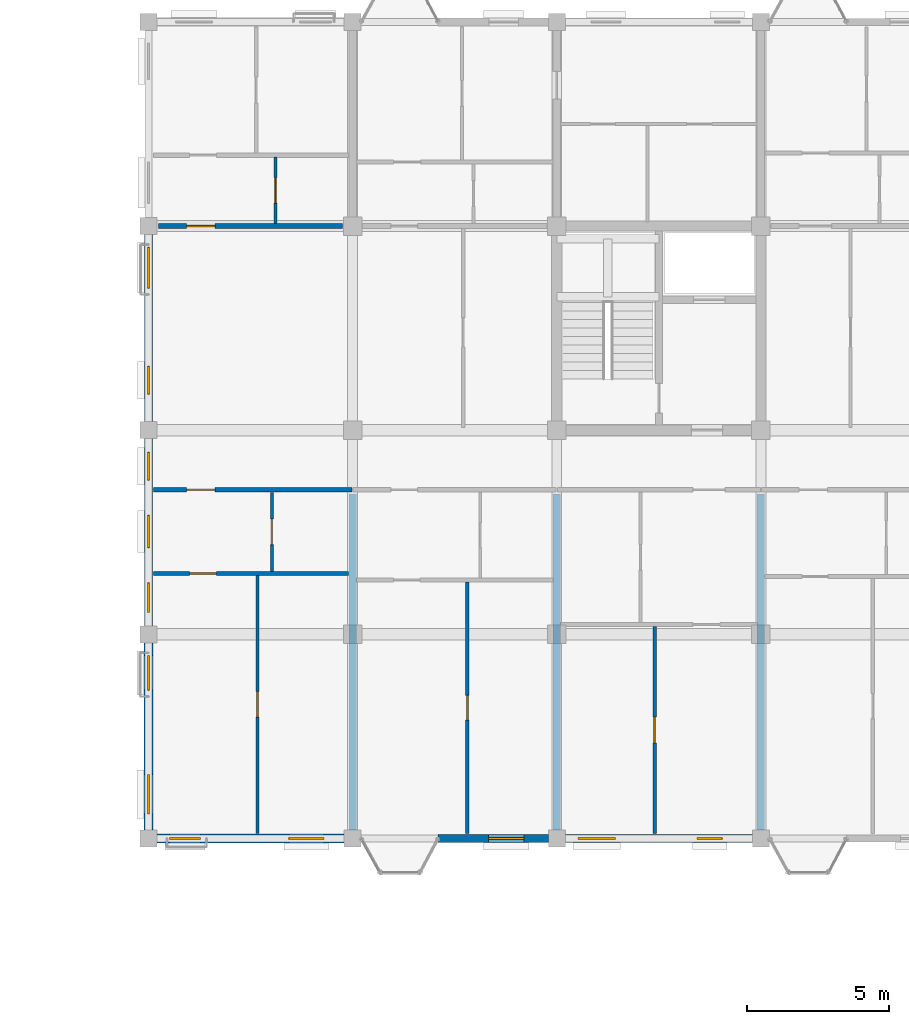
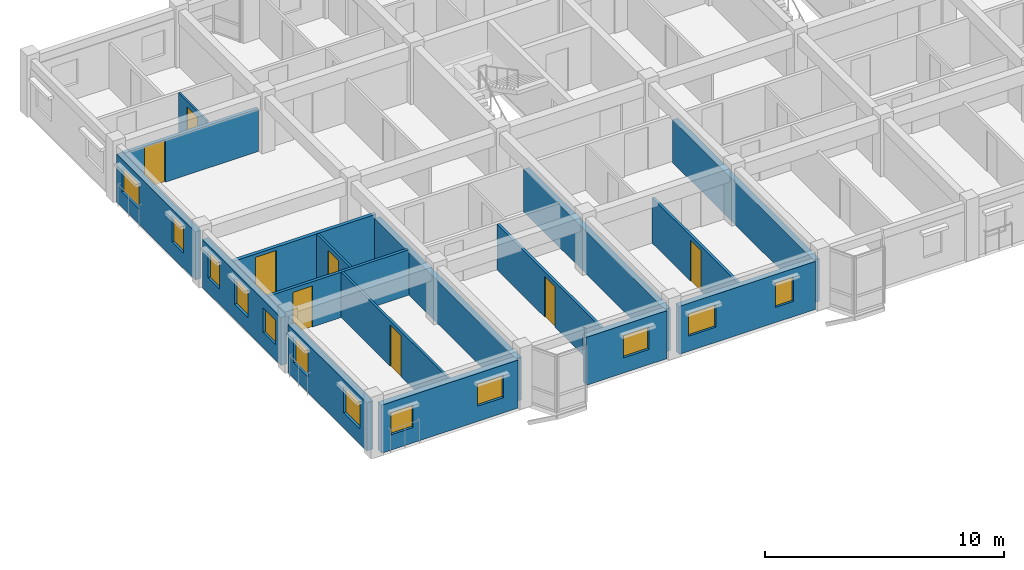
# One storey, part 106 of 124: 17 walls, 12 windows, 8 doors, 20 openings.
"""IFC4 building model written with IfcOpenShell, lengths in metres."""

from ifc_helpers import new_model, si_unit, direction, frame, frame_2d, origin, place, context, subcontext, project, spatial, rectangle, extrude, material, layer, layer_set, type_object, element, fill, save


model = new_model("IFC4")

# Units and contexts
model_context = context("Model", 3, precision=1e-05, world=origin(), true_north=direction((0.0, 1.0)))
body_context = subcontext(model_context, "Body", "Model", "MODEL_VIEW")
ifc_project = project(units=[si_unit("LENGTHUNIT", "METRE"), si_unit("AREAUNIT", "SQUARE_METRE"), si_unit("VOLUMEUNIT", "CUBIC_METRE"), si_unit("PLANEANGLEUNIT", "RADIAN"), si_unit("MASSUNIT", "GRAM", prefix="KILO"), si_unit("THERMODYNAMICTEMPERATUREUNIT", "KELVIN"), si_unit("POWERUNIT", "WATT")], contexts=[model_context])

# Site, building, storey
site_placement = place(None, origin())
site = spatial("IfcSite", under=ifc_project, at=site_placement, CompositionType="ELEMENT")
building_placement = place(site_placement, origin())
building = spatial("IfcBuilding", under=site, at=building_placement, Name="Tavuni Mirador Residences", CompositionType="ELEMENT")
storey_placement = place(building_placement, frame((0.0, 0.0, 7.64990234375)))
storey = spatial("IfcBuildingStorey", under=building, at=storey_placement, Name="L02", CompositionType="ELEMENT", Elevation=7.64990234375)

# Wall, opening, door
ifc_material_1 = material(Name="Precast concrete C40/50", Category="concrete")
ifc_layer_1 = layer(ifc_material_1, 0.1650390625, Name="Precast concrete C40/50", Category="concrete")
ifc_layer_set_1 = layer_set([ifc_layer_1], Name="Precast concrete C40/50")
wall_type_1 = type_object("IfcWallType", Name="WT-CORR165", PredefinedType="PARTITIONING", material=ifc_layer_set_1)
wall_1_placement = place(storey_placement, frame((10.97509765625, 156.300048828125, 0.0), z_axis=(0.0, 0.0, 1.0), x_axis=(1.0, 0.0, 0.0)))
wall_1 = element("IfcWall", 1, at=wall_1_placement, inside=storey, type_object=wall_type_1, Name="CORW-BLK-C-L02-0-00", PredefinedType="PARTITIONING", context=body_context, shape_type="SweptSolid", body=[
    extrude(rectangle(XDim=7.0048828125, YDim=0.1650390625, at=frame_2d((3.50244140625, 0.0))), origin(), (0.0, 0.0, 1.0), 2.320068359375),
])
opening_1_placement = place(wall_1_placement, frame((1.175048828125, 0.0, 0.0)))
opening_1 = element("IfcOpeningElement", 2, at=opening_1_placement, cuts=wall_1, Name="Opening D-03", PredefinedType="OPENING", context=body_context, shape_type="SweptSolid", body=[
    extrude(rectangle(XDim=1.0, YDim=2.14990234375, at=frame_2d((0.5, 1.074951171875))), frame((0.0, 0.092529296875, 0.0), z_axis=(0.0, -1.0, 0.0), x_axis=(1.0, 0.0, 0.0)), (0.0, 0.0, 1.0), 0.18505859375),
])
ifc_material_2 = material(Name="Solid core iroko timber", Category="wood")
door_type_1 = type_object("IfcDoorType", Name="DT-FD60-1000", OperationType="NOTDEFINED", PredefinedType="DOOR", material=ifc_material_2)
door_1_placement = place(opening_1_placement, origin())
door_1 = element("IfcDoor", 3, at=door_1_placement, inside=storey, type_object=door_type_1, Name="DR-2643", OperationType="SINGLE_SWING_RIGHT", OverallHeight=2.14990234375, OverallWidth=1.0, PredefinedType="DOOR", context=body_context, shape_type="SweptSolid", body=[
    extrude(rectangle(XDim=1.0, YDim=2.14990234375, at=frame_2d((0.5, 1.074951171875))), frame((0.0, 0.02490234375, 0.0), z_axis=(0.0, -1.0, 0.0), x_axis=(1.0, 0.0, 0.0)), (0.0, 0.0, 1.0), 0.050048828125),
])
fill(opening_1, door_1)

wall_2_placement = place(storey_placement, frame((11.14990234375, 165.60009765625, 0.0), z_axis=(0.0, 0.0, 1.0), x_axis=(1.0, 0.0, 0.0)))
wall_2 = element("IfcWall", 4, at=wall_2_placement, inside=storey, type_object=wall_type_1, Name="CORW-BLK-C-L02-1-00", PredefinedType="PARTITIONING", context=body_context, shape_type="SweptSolid", body=[
    extrude(rectangle(XDim=6.5, YDim=0.1650390625, at=frame_2d((3.25, 0.0))), origin(), (0.0, 0.0, 1.0), 2.18505859375),
])
opening_2_placement = place(wall_2_placement, frame((1.0, 0.0, 0.0)))
opening_2 = element("IfcOpeningElement", 5, at=opening_2_placement, cuts=wall_2, Name="Opening D-03", PredefinedType="OPENING", context=body_context, shape_type="SweptSolid", body=[
    extrude(rectangle(XDim=1.0, YDim=2.14990234375, at=frame_2d((0.5, 1.074951171875))), frame((0.0, 0.092529296875, 0.0), z_axis=(0.0, -1.0, 0.0), x_axis=(1.0, 0.0, 0.0)), (0.0, 0.0, 1.0), 0.18505859375),
])
door_2_placement = place(opening_2_placement, origin())
door_2 = element("IfcDoor", 6, at=door_2_placement, inside=storey, type_object=door_type_1, Name="DR-2652", OperationType="SINGLE_SWING_LEFT", OverallHeight=2.14990234375, OverallWidth=1.0, PredefinedType="DOOR", context=body_context, shape_type="SweptSolid", body=[
    extrude(rectangle(XDim=1.0, YDim=2.14990234375, at=frame_2d((0.5, 1.074951171875))), frame((0.0, 0.02490234375, 0.0), z_axis=(0.0, -1.0, 0.0), x_axis=(1.0, 0.0, 0.0)), (0.0, 0.0, 1.0), 0.050048828125),
])
fill(opening_2, door_2)

# Wall, openings, windows
ifc_material_3 = material(Name="Sgraffito lime-rendered precast concrete C40/50", Category="concrete")
ifc_layer_2 = layer(ifc_material_3, 0.27490234375, Name="Sgraffito lime-rendered precast concrete C40/50", Category="concrete")
ifc_layer_set_2 = layer_set([ifc_layer_2], Name="Sgraffito lime-rendered precast concrete C40/50")
wall_type_2 = type_object("IfcWallType", Name="WT-EXT-PC275", PredefinedType="SOLIDWALL", material=ifc_layer_set_2)
wall_3_placement = place(storey_placement, frame((25.5, 144.0, 0.0), z_axis=(0.0, 0.0, 1.0), x_axis=(1.0, 0.0, 0.0)))
wall_3 = element("IfcWall", 7, at=wall_3_placement, inside=storey, type_object=wall_type_2, Name="EW-BLK-C-L02-S02", PredefinedType="SOLIDWALL", context=body_context, shape_type="SweptSolid", body=[
    extrude(rectangle(XDim=6.60009765625, YDim=0.27490234375, at=frame_2d((3.300048828125, 0.0))), origin(), (0.0, 0.0, 1.0), 2.455078125),
])
opening_3_placement = place(wall_3_placement, frame((0.449951171875, 0.0, 0.780029296875)))
opening_3 = element("IfcOpeningElement", 8, at=opening_3_placement, cuts=wall_3, Name="Opening WN-07", PredefinedType="OPENING", context=body_context, shape_type="SweptSolid", body=[
    extrude(rectangle(XDim=1.320068359375, YDim=1.14990234375, at=frame_2d((0.66015625, 0.574951171875))), frame((0.0, 0.1474609375, 0.0), z_axis=(0.0, -1.0, 0.0), x_axis=(1.0, 0.0, 0.0)), (0.0, 0.0, 1.0), 0.294921875),
])
opening_4_placement = place(wall_3_placement, frame((4.64990234375, 0.0, 0.780029296875)))
opening_4 = element("IfcOpeningElement", 9, at=opening_4_placement, cuts=wall_3, Name="Opening WN-09", PredefinedType="OPENING", context=body_context, shape_type="SweptSolid", body=[
    extrude(rectangle(XDim=0.8798828125, YDim=1.260009765625, at=frame_2d((0.43994140625, 0.6298828125))), frame((0.0, 0.1474609375, 0.0), z_axis=(0.0, -1.0, 0.0), x_axis=(1.0, 0.0, 0.0)), (0.0, 0.0, 1.0), 0.294921875),
])
ifc_material_4 = material(Name="Laminated solar-control glass", Category="glass")
window_type_1 = type_object("IfcWindowType", Name="WNT-07", PartitioningType="SINGLE_PANEL", PredefinedType="WINDOW", material=ifc_material_4)
window_1_placement = place(opening_3_placement, origin())
window_1 = element("IfcWindow", 10, at=window_1_placement, inside=storey, type_object=window_type_1, Name="WIN-0904", OverallHeight=1.14990234375, OverallWidth=1.320068359375, PartitioningType="SINGLE_PANEL", PredefinedType="WINDOW", context=body_context, shape_type="SweptSolid", body=[
    extrude(rectangle(XDim=1.320068359375, YDim=1.14990234375, at=frame_2d((0.66015625, 0.574951171875))), frame((0.0, 0.030029296875, 0.0), z_axis=(0.0, -1.0, 0.0), x_axis=(1.0, 0.0, 0.0)), (0.0, 0.0, 1.0), 0.06005859375),
])
fill(opening_3, window_1)
window_type_2 = type_object("IfcWindowType", Name="WNT-09", PartitioningType="SINGLE_PANEL", PredefinedType="WINDOW", material=ifc_material_4)
window_2_placement = place(opening_4_placement, origin())
window_2 = element("IfcWindow", 11, at=window_2_placement, inside=storey, type_object=window_type_2, Name="WIN-0905", OverallHeight=1.260009765625, OverallWidth=0.8798828125, PartitioningType="SINGLE_PANEL", PredefinedType="WINDOW", context=body_context, shape_type="SweptSolid", body=[
    extrude(rectangle(XDim=0.8798828125, YDim=1.260009765625, at=frame_2d((0.43994140625, 0.6298828125))), frame((0.0, 0.030029296875, 0.0), z_axis=(0.0, -1.0, 0.0), x_axis=(1.0, 0.0, 0.0)), (0.0, 0.0, 1.0), 0.06005859375),
])
fill(opening_4, window_2)

wall_4_placement = place(storey_placement, frame((10.800048828125, 165.300048828125, 0.0), z_axis=(0.0, 0.0, 1.0), x_axis=(0.0, -1.0, 0.0)))
wall_4 = element("IfcWall", 12, at=wall_4_placement, inside=storey, type_object=wall_type_2, Name="EW-BLK-C-L02-W02", PredefinedType="SOLIDWALL", context=body_context, shape_type="SweptSolid", body=[
    extrude(rectangle(XDim=6.60009765625, YDim=0.27490234375, at=frame_2d((3.300048828125, 0.0))), origin(), (0.0, 0.0, 1.0), 2.455078125),
])
opening_5_placement = place(wall_4_placement, frame((0.449951171875, 0.0, 0.780029296875)))
opening_5 = element("IfcOpeningElement", 13, at=opening_5_placement, cuts=wall_4, Name="Opening WN-16", PredefinedType="OPENING", context=body_context, shape_type="SweptSolid", body=[
    extrude(rectangle(XDim=1.43994140625, YDim=1.260009765625, at=frame_2d((0.719970703125, 0.6298828125))), frame((0.0, 0.1474609375, 0.0), z_axis=(0.0, -1.0, 0.0), x_axis=(1.0, 0.0, 0.0)), (0.0, 0.0, 1.0), 0.294921875),
])
opening_6_placement = place(wall_4_placement, frame((4.64990234375, 0.0, 0.780029296875)))
opening_6 = element("IfcOpeningElement", 14, at=opening_6_placement, cuts=wall_4, Name="Opening WN-18", PredefinedType="OPENING", context=body_context, shape_type="SweptSolid", body=[
    extrude(rectangle(XDim=0.97998046875, YDim=1.360107421875, at=frame_2d((0.489990234375, 0.68017578125))), frame((0.0, 0.1474609375, 0.0), z_axis=(0.0, -1.0, 0.0), x_axis=(1.0, 0.0, 0.0)), (0.0, 0.0, 1.0), 0.294921875),
])
window_type_3 = type_object("IfcWindowType", Name="WNT-16", PartitioningType="SINGLE_PANEL", PredefinedType="WINDOW", material=ifc_material_4)
window_3_placement = place(opening_5_placement, origin())
window_3 = element("IfcWindow", 15, at=window_3_placement, inside=storey, type_object=window_type_3, Name="WIN-0943", OverallHeight=1.260009765625, OverallWidth=1.43994140625, PartitioningType="SINGLE_PANEL", PredefinedType="WINDOW", context=body_context, shape_type="SweptSolid", body=[
    extrude(rectangle(XDim=1.43994140625, YDim=1.260009765625, at=frame_2d((0.719970703125, 0.6298828125))), frame((0.0, 0.030029296875, 0.0), z_axis=(0.0, -1.0, 0.0), x_axis=(1.0, 0.0, 0.0)), (0.0, 0.0, 1.0), 0.06005859375),
])
fill(opening_5, window_3)
window_type_4 = type_object("IfcWindowType", Name="WNT-18", PartitioningType="SINGLE_PANEL", PredefinedType="WINDOW", material=ifc_material_4)
window_4_placement = place(opening_6_placement, origin())
window_4 = element("IfcWindow", 16, at=window_4_placement, inside=storey, type_object=window_type_4, Name="WIN-0944", OverallHeight=1.360107421875, OverallWidth=0.97998046875, PartitioningType="SINGLE_PANEL", PredefinedType="WINDOW", context=body_context, shape_type="SweptSolid", body=[
    extrude(rectangle(XDim=0.97998046875, YDim=1.360107421875, at=frame_2d((0.489990234375, 0.68017578125))), frame((0.0, 0.030029296875, 0.0), z_axis=(0.0, -1.0, 0.0), x_axis=(1.0, 0.0, 0.0)), (0.0, 0.0, 1.0), 0.06005859375),
])
fill(opening_6, window_4)

# Wall, opening, window
ifc_layer_3 = layer(ifc_material_3, 0.2900390625, Name="Sgraffito lime-rendered precast concrete C40/50", Category="concrete")
ifc_layer_set_3 = layer_set([ifc_layer_3], Name="Sgraffito lime-rendered precast concrete C40/50")
wall_type_3 = type_object("IfcWallType", Name="WT-EXT-PC290", PredefinedType="SOLIDWALL", material=ifc_layer_set_3)
wall_5_placement = place(storey_placement, frame((21.02001953125, 144.0, 0.0), z_axis=(0.0, 0.0, 1.0), x_axis=(1.0, 0.0, 0.0)))
wall_5 = element("IfcWall", 17, at=wall_5_placement, inside=storey, type_object=wall_type_3, Name="EW-BLK-C-L02-S01", PredefinedType="SOLIDWALL", context=body_context, shape_type="SweptSolid", body=[
    extrude(rectangle(XDim=3.8798828125, YDim=0.2900390625, at=frame_2d((1.93994140625, 0.0))), origin(), (0.0, 0.0, 1.0), 2.455078125),
])
opening_7_placement = place(wall_5_placement, frame((1.780029296875, 0.0, 0.780029296875)))
opening_7 = element("IfcOpeningElement", 18, at=opening_7_placement, cuts=wall_5, Name="Opening WN-06", PredefinedType="OPENING", context=body_context, shape_type="SweptSolid", body=[
    extrude(rectangle(XDim=1.239990234375, YDim=1.14990234375, at=frame_2d((0.6201171875, 0.574951171875))), frame((0.0, 0.155029296875, 0.0), z_axis=(0.0, -1.0, 0.0), x_axis=(1.0, 0.0, 0.0)), (0.0, 0.0, 1.0), 0.31005859375),
])
window_type_5 = type_object("IfcWindowType", Name="WNT-06", PartitioningType="SINGLE_PANEL", PredefinedType="WINDOW", material=ifc_material_4)
window_5_placement = place(opening_7_placement, origin())
window_5 = element("IfcWindow", 19, at=window_5_placement, inside=storey, type_object=window_type_5, Name="WIN-0903", OverallHeight=1.14990234375, OverallWidth=1.239990234375, PartitioningType="SINGLE_PANEL", PredefinedType="WINDOW", context=body_context, shape_type="SweptSolid", body=[
    extrude(rectangle(XDim=1.239990234375, YDim=1.14990234375, at=frame_2d((0.6201171875, 0.574951171875))), frame((0.0, 0.030029296875, 0.0), z_axis=(0.0, -1.0, 0.0), x_axis=(1.0, 0.0, 0.0)), (0.0, 0.0, 1.0), 0.06005859375),
])
fill(opening_7, window_5)

# Wall, openings, windows
wall_6_placement = place(storey_placement, frame((10.800048828125, 158.10009765625, 0.0), z_axis=(0.0, 0.0, 1.0), x_axis=(0.0, -1.0, 0.0)))
wall_6 = element("IfcWall", 20, at=wall_6_placement, inside=storey, type_object=wall_type_3, Name="EW-BLK-C-L02-W01", PredefinedType="SOLIDWALL", context=body_context, shape_type="SweptSolid", body=[
    extrude(rectangle(XDim=6.60009765625, YDim=0.2900390625, at=frame_2d((3.300048828125, 0.0))), origin(), (0.0, 0.0, 1.0), 2.455078125),
])
opening_8_placement = place(wall_6_placement, frame((0.47998046875, 0.0, 0.780029296875)))
opening_8 = element("IfcOpeningElement", 21, at=opening_8_placement, cuts=wall_6, Name="Opening WN-18", PredefinedType="OPENING", context=body_context, shape_type="SweptSolid", body=[
    extrude(rectangle(XDim=0.97998046875, YDim=1.360107421875, at=frame_2d((0.489990234375, 0.68017578125))), frame((0.0, 0.155029296875, 0.0), z_axis=(0.0, -1.0, 0.0), x_axis=(1.0, 0.0, 0.0)), (0.0, 0.0, 1.0), 0.31005859375),
])
opening_9_placement = place(wall_6_placement, frame((2.705078125, 0.0, 0.780029296875)))
opening_9 = element("IfcOpeningElement", 22, at=opening_9_placement, cuts=wall_6, Name="Opening WN-20", PredefinedType="OPENING", context=body_context, shape_type="SweptSolid", body=[
    extrude(rectangle(XDim=1.139892578125, YDim=1.360107421875, at=frame_2d((0.56982421875, 0.68017578125))), frame((0.0, 0.155029296875, 0.0), z_axis=(0.0, -1.0, 0.0), x_axis=(1.0, 0.0, 0.0)), (0.0, 0.0, 1.0), 0.31005859375),
])
opening_10_placement = place(wall_6_placement, frame((5.0849609375, 0.0, 0.780029296875)))
opening_10 = element("IfcOpeningElement", 23, at=opening_10_placement, cuts=wall_6, Name="Opening WN-11", PredefinedType="OPENING", context=body_context, shape_type="SweptSolid", body=[
    extrude(rectangle(XDim=1.0400390625, YDim=1.260009765625, at=frame_2d((0.52001953125, 0.6298828125))), frame((0.0, 0.155029296875, 0.0), z_axis=(0.0, -1.0, 0.0), x_axis=(1.0, 0.0, 0.0)), (0.0, 0.0, 1.0), 0.31005859375),
])
window_type_6 = type_object("IfcWindowType", Name="WNT-11", PartitioningType="SINGLE_PANEL", PredefinedType="WINDOW", material=ifc_material_4)
window_6_placement = place(opening_10_placement, origin())
window_6 = element("IfcWindow", 24, at=window_6_placement, inside=storey, type_object=window_type_6, Name="WIN-0947", OverallHeight=1.260009765625, OverallWidth=1.0400390625, PartitioningType="SINGLE_PANEL", PredefinedType="WINDOW", context=body_context, shape_type="SweptSolid", body=[
    extrude(rectangle(XDim=1.0400390625, YDim=1.260009765625, at=frame_2d((0.52001953125, 0.6298828125))), frame((0.0, 0.030029296875, 0.0), z_axis=(0.0, -1.0, 0.0), x_axis=(1.0, 0.0, 0.0)), (0.0, 0.0, 1.0), 0.06005859375),
])
fill(opening_10, window_6)
window_7_placement = place(opening_8_placement, origin())
window_7 = element("IfcWindow", 25, at=window_7_placement, inside=storey, type_object=window_type_4, Name="WIN-0945", OverallHeight=1.360107421875, OverallWidth=0.97998046875, PartitioningType="SINGLE_PANEL", PredefinedType="WINDOW", context=body_context, shape_type="SweptSolid", body=[
    extrude(rectangle(XDim=0.97998046875, YDim=1.360107421875, at=frame_2d((0.489990234375, 0.68017578125))), frame((0.0, 0.030029296875, 0.0), z_axis=(0.0, -1.0, 0.0), x_axis=(1.0, 0.0, 0.0)), (0.0, 0.0, 1.0), 0.06005859375),
])
fill(opening_8, window_7)
window_type_7 = type_object("IfcWindowType", Name="WNT-20", PartitioningType="SINGLE_PANEL", PredefinedType="WINDOW", material=ifc_material_4)
window_8_placement = place(opening_9_placement, origin())
window_8 = element("IfcWindow", 26, at=window_8_placement, inside=storey, type_object=window_type_7, Name="WIN-0946", OverallHeight=1.360107421875, OverallWidth=1.139892578125, PartitioningType="SINGLE_PANEL", PredefinedType="WINDOW", context=body_context, shape_type="SweptSolid", body=[
    extrude(rectangle(XDim=1.139892578125, YDim=1.360107421875, at=frame_2d((0.56982421875, 0.68017578125))), frame((0.0, 0.030029296875, 0.0), z_axis=(0.0, -1.0, 0.0), x_axis=(1.0, 0.0, 0.0)), (0.0, 0.0, 1.0), 0.06005859375),
])
fill(opening_9, window_8)

ifc_layer_4 = layer(ifc_material_3, 0.304931640625, Name="Sgraffito lime-rendered precast concrete C40/50", Category="concrete")
ifc_layer_set_4 = layer_set([ifc_layer_4], Name="Sgraffito lime-rendered precast concrete C40/50")
wall_type_4 = type_object("IfcWallType", Name="WT-EXT-PC305", PredefinedType="SOLIDWALL", material=ifc_layer_set_4)
wall_7_placement = place(storey_placement, frame((11.10009765625, 144.0, 0.0), z_axis=(0.0, 0.0, 1.0), x_axis=(1.0, 0.0, 0.0)))
wall_7 = element("IfcWall", 27, at=wall_7_placement, inside=storey, type_object=wall_type_4, Name="EW-BLK-C-L02-S00", PredefinedType="SOLIDWALL", context=body_context, shape_type="SweptSolid", body=[
    extrude(rectangle(XDim=6.599853515625, YDim=0.304931640625, at=frame_2d((3.2998046875, 0.0))), origin(), (0.0, 0.0, 1.0), 2.455078125),
])
opening_11_placement = place(wall_7_placement, frame((0.449951171875, 0.0, 0.780029296875)))
opening_11 = element("IfcOpeningElement", 28, at=opening_11_placement, cuts=wall_7, Name="Opening WN-04", PredefinedType="OPENING", context=body_context, shape_type="SweptSolid", body=[
    extrude(rectangle(XDim=1.080078125, YDim=1.14990234375, at=frame_2d((0.5400390625, 0.574951171875))), frame((0.0, 0.16259765625, 0.0), z_axis=(0.0, -1.0, 0.0), x_axis=(1.0, 0.0, 0.0)), (0.0, 0.0, 1.0), 0.324951171875),
])
opening_12_placement = place(wall_7_placement, frame((4.64990234375, 0.0, 0.780029296875)))
opening_12 = element("IfcOpeningElement", 29, at=opening_12_placement, cuts=wall_7, Name="Opening WN-06", PredefinedType="OPENING", context=body_context, shape_type="SweptSolid", body=[
    extrude(rectangle(XDim=1.239990234375, YDim=1.14990234375, at=frame_2d((0.6201171875, 0.574951171875))), frame((0.0, 0.16259765625, 0.0), z_axis=(0.0, -1.0, 0.0), x_axis=(1.0, 0.0, 0.0)), (0.0, 0.0, 1.0), 0.324951171875),
])
window_type_8 = type_object("IfcWindowType", Name="WNT-04", PartitioningType="SINGLE_PANEL", PredefinedType="WINDOW", material=ifc_material_4)
window_9_placement = place(opening_11_placement, origin())
window_9 = element("IfcWindow", 30, at=window_9_placement, inside=storey, type_object=window_type_8, Name="WIN-0901", OverallHeight=1.14990234375, OverallWidth=1.080078125, PartitioningType="SINGLE_PANEL", PredefinedType="WINDOW", context=body_context, shape_type="SweptSolid", body=[
    extrude(rectangle(XDim=1.080078125, YDim=1.14990234375, at=frame_2d((0.5400390625, 0.574951171875))), frame((0.0, 0.030029296875, 0.0), z_axis=(0.0, -1.0, 0.0), x_axis=(1.0, 0.0, 0.0)), (0.0, 0.0, 1.0), 0.06005859375),
])
fill(opening_11, window_9)
window_10_placement = place(opening_12_placement, origin())
window_10 = element("IfcWindow", 31, at=window_10_placement, inside=storey, type_object=window_type_5, Name="WIN-0902", OverallHeight=1.14990234375, OverallWidth=1.239990234375, PartitioningType="SINGLE_PANEL", PredefinedType="WINDOW", context=body_context, shape_type="SweptSolid", body=[
    extrude(rectangle(XDim=1.239990234375, YDim=1.14990234375, at=frame_2d((0.6201171875, 0.574951171875))), frame((0.0, 0.030029296875, 0.0), z_axis=(0.0, -1.0, 0.0), x_axis=(1.0, 0.0, 0.0)), (0.0, 0.0, 1.0), 0.06005859375),
])
fill(opening_12, window_10)

wall_8_placement = place(storey_placement, frame((10.800048828125, 150.89990234375, 0.0), z_axis=(0.0, 0.0, 1.0), x_axis=(0.0, -1.0, 0.0)))
wall_8 = element("IfcWall", 32, at=wall_8_placement, inside=storey, type_object=wall_type_4, Name="EW-BLK-C-L02-W00", PredefinedType="SOLIDWALL", context=body_context, shape_type="SweptSolid", body=[
    extrude(rectangle(XDim=6.599853515625, YDim=0.304931640625, at=frame_2d((3.2998046875, 0.0))), origin(), (0.0, 0.0, 1.0), 2.455078125),
])
opening_13_placement = place(wall_8_placement, frame((0.449951171875, 0.0, 0.780029296875)))
opening_13 = element("IfcOpeningElement", 33, at=opening_13_placement, cuts=wall_8, Name="Opening WN-21", PredefinedType="OPENING", context=body_context, shape_type="SweptSolid", body=[
    extrude(rectangle(XDim=1.219970703125, YDim=1.360107421875, at=frame_2d((0.60986328125, 0.68017578125))), frame((0.0, 0.16259765625, 0.0), z_axis=(0.0, -1.0, 0.0), x_axis=(1.0, 0.0, 0.0)), (0.0, 0.0, 1.0), 0.324951171875),
])
opening_14_placement = place(wall_8_placement, frame((4.64990234375, 0.0, 0.780029296875)))
opening_14 = element("IfcOpeningElement", 34, at=opening_14_placement, cuts=wall_8, Name="Opening WN-23", PredefinedType="OPENING", context=body_context, shape_type="SweptSolid", body=[
    extrude(rectangle(XDim=1.3798828125, YDim=1.360107421875, at=frame_2d((0.68994140625, 0.68017578125))), frame((0.0, 0.16259765625, 0.0), z_axis=(0.0, -1.0, 0.0), x_axis=(1.0, 0.0, 0.0)), (0.0, 0.0, 1.0), 0.324951171875),
])
window_type_9 = type_object("IfcWindowType", Name="WNT-21", PartitioningType="SINGLE_PANEL", PredefinedType="WINDOW", material=ifc_material_4)
window_11_placement = place(opening_13_placement, origin())
window_11 = element("IfcWindow", 35, at=window_11_placement, inside=storey, type_object=window_type_9, Name="WIN-0948", OverallHeight=1.360107421875, OverallWidth=1.219970703125, PartitioningType="SINGLE_PANEL", PredefinedType="WINDOW", context=body_context, shape_type="SweptSolid", body=[
    extrude(rectangle(XDim=1.219970703125, YDim=1.360107421875, at=frame_2d((0.60986328125, 0.68017578125))), frame((0.0, 0.030029296875, 0.0), z_axis=(0.0, -1.0, 0.0), x_axis=(1.0, 0.0, 0.0)), (0.0, 0.0, 1.0), 0.06005859375),
])
fill(opening_13, window_11)
window_type_10 = type_object("IfcWindowType", Name="WNT-23", PartitioningType="SINGLE_PANEL", PredefinedType="WINDOW", material=ifc_material_4)
window_12_placement = place(opening_14_placement, origin())
window_12 = element("IfcWindow", 36, at=window_12_placement, inside=storey, type_object=window_type_10, Name="WIN-0949", OverallHeight=1.360107421875, OverallWidth=1.3798828125, PartitioningType="SINGLE_PANEL", PredefinedType="WINDOW", context=body_context, shape_type="SweptSolid", body=[
    extrude(rectangle(XDim=1.3798828125, YDim=1.360107421875, at=frame_2d((0.68994140625, 0.68017578125))), frame((0.0, 0.030029296875, 0.0), z_axis=(0.0, -1.0, 0.0), x_axis=(1.0, 0.0, 0.0)), (0.0, 0.0, 1.0), 0.06005859375),
])
fill(opening_14, window_12)

# Wall, opening, door
ifc_material_5 = material(Name="Acoustic gypsum and concrete block partition", Category="concrete")
ifc_layer_5 = layer(ifc_material_5, 0.094970703125, Name="Acoustic gypsum and concrete block partition", Category="concrete")
ifc_layer_set_5 = layer_set([ifc_layer_5], Name="Acoustic gypsum and concrete block partition")
wall_type_5 = type_object("IfcWallType", Name="WT-PART095", PredefinedType="PARTITIONING", material=ifc_layer_set_5)
wall_9_placement = place(storey_placement, frame((15.280029296875, 165.68994140625, 0.0), z_axis=(0.0, 0.0, 1.0), x_axis=(0.0, 1.0, 0.0)))
wall_9 = element("IfcWall", 37, at=wall_9_placement, inside=storey, type_object=wall_type_5, Name="PW-BLK-C-L02-N00-IN1", PredefinedType="PARTITIONING", context=body_context, shape_type="SweptSolid", body=[
    extrude(rectangle(XDim=2.340087890625, YDim=0.094970703125, at=frame_2d((1.169921875, 0.0))), origin(), (0.0, 0.0, 1.0), 2.320068359375),
])
opening_15_placement = place(wall_9_placement, frame((0.719970703125, 0.0, 0.0)))
opening_15 = element("IfcOpeningElement", 38, at=opening_15_placement, cuts=wall_9, Name="Opening D-09", PredefinedType="OPENING", context=body_context, shape_type="SweptSolid", body=[
    extrude(rectangle(XDim=0.89990234375, YDim=2.050048828125, at=frame_2d((0.449951171875, 1.02490234375))), frame((0.0, 0.0576171875, 0.0), z_axis=(0.0, -1.0, 0.0), x_axis=(1.0, 0.0, 0.0)), (0.0, 0.0, 1.0), 0.114990234375),
])
door_type_2 = type_object("IfcDoorType", Name="DT-WC900", OperationType="NOTDEFINED", PredefinedType="DOOR", material=ifc_material_2)
door_3_placement = place(opening_15_placement, origin())
door_3 = element("IfcDoor", 39, at=door_3_placement, inside=storey, type_object=door_type_2, Name="DR-3743", OperationType="SINGLE_SWING_LEFT", OverallHeight=2.050048828125, OverallWidth=0.89990234375, PredefinedType="DOOR", context=body_context, shape_type="SweptSolid", body=[
    extrude(rectangle(XDim=0.89990234375, YDim=2.050048828125, at=frame_2d((0.449951171875, 1.02490234375))), frame((0.0, 0.02490234375, 0.0), z_axis=(0.0, -1.0, 0.0), x_axis=(1.0, 0.0, 0.0)), (0.0, 0.0, 1.0), 0.050048828125),
])
fill(opening_15, door_3)

ifc_layer_6 = layer(ifc_material_5, 0.10498046875, Name="Acoustic gypsum and concrete block partition", Category="concrete")
ifc_layer_set_6 = layer_set([ifc_layer_6], Name="Acoustic gypsum and concrete block partition")
wall_type_6 = type_object("IfcWallType", Name="WT-PART105", PredefinedType="PARTITIONING", material=ifc_layer_set_6)
wall_10_placement = place(storey_placement, frame((15.14990234375, 153.419921875, 0.0), z_axis=(0.0, 0.0, 1.0), x_axis=(0.0, 1.0, 0.0)))
wall_10 = element("IfcWall", 40, at=wall_10_placement, inside=storey, type_object=wall_type_6, Name="PW-BLK-C-L02-S00-IN1", PredefinedType="PARTITIONING", context=body_context, shape_type="SweptSolid", body=[
    extrude(rectangle(XDim=2.7900390625, YDim=0.10498046875, at=frame_2d((1.39501953125, 0.0))), origin(), (0.0, 0.0, 1.0), 2.320068359375),
])
opening_16_placement = place(wall_10_placement, frame((0.945068359375, 0.0, 0.0)))
opening_16 = element("IfcOpeningElement", 41, at=opening_16_placement, cuts=wall_10, Name="Opening D-09", PredefinedType="OPENING", context=body_context, shape_type="SweptSolid", body=[
    extrude(rectangle(XDim=0.89990234375, YDim=2.050048828125, at=frame_2d((0.449951171875, 1.02490234375))), frame((0.0, 0.0625, 0.0), z_axis=(0.0, -1.0, 0.0), x_axis=(1.0, 0.0, 0.0)), (0.0, 0.0, 1.0), 0.125),
])
door_4_placement = place(opening_16_placement, origin())
door_4 = element("IfcDoor", 42, at=door_4_placement, inside=storey, type_object=door_type_2, Name="DR-3740", OperationType="SINGLE_SWING_LEFT", OverallHeight=2.050048828125, OverallWidth=0.89990234375, PredefinedType="DOOR", context=body_context, shape_type="SweptSolid", body=[
    extrude(rectangle(XDim=0.89990234375, YDim=2.050048828125, at=frame_2d((0.449951171875, 1.02490234375))), frame((0.0, 0.02490234375, 0.0), z_axis=(0.0, -1.0, 0.0), x_axis=(1.0, 0.0, 0.0)), (0.0, 0.0, 1.0), 0.050048828125),
])
fill(opening_16, door_4)

ifc_layer_7 = layer(ifc_material_5, 0.114990234375, Name="Acoustic gypsum and concrete block partition", Category="concrete")
ifc_layer_set_7 = layer_set([ifc_layer_7], Name="Acoustic gypsum and concrete block partition")
wall_type_7 = type_object("IfcWallType", Name="WT-PART115", PredefinedType="PARTITIONING", material=ifc_layer_set_7)
wall_11_placement = place(storey_placement, frame((14.64990234375, 144.175048828125, 0.0), z_axis=(0.0, 0.0, 1.0), x_axis=(0.0, 1.0, 0.0)))
wall_11 = element("IfcWall", 43, at=wall_11_placement, inside=storey, type_object=wall_type_7, Name="PW-BLK-C-L02-S00-OUT", PredefinedType="PARTITIONING", context=body_context, shape_type="SweptSolid", body=[
    extrude(rectangle(XDim=9.10498046875, YDim=0.114990234375, at=frame_2d((4.552490234375, 0.0))), origin(), (0.0, 0.0, 1.0), 2.320068359375),
])
opening_17_placement = place(wall_11_placement, frame((4.1025390625, 0.0, 0.0)))
opening_17 = element("IfcOpeningElement", 44, at=opening_17_placement, cuts=wall_11, Name="Opening D-07", PredefinedType="OPENING", context=body_context, shape_type="SweptSolid", body=[
    extrude(rectangle(XDim=0.89990234375, YDim=2.10009765625, at=frame_2d((0.449951171875, 1.050048828125))), frame((0.0, 0.0673828125, 0.0), z_axis=(0.0, -1.0, 0.0), x_axis=(1.0, 0.0, 0.0)), (0.0, 0.0, 1.0), 0.135009765625),
])
door_type_3 = type_object("IfcDoorType", Name="DT-BED900", OperationType="NOTDEFINED", PredefinedType="DOOR", material=ifc_material_2)
door_5_placement = place(opening_17_placement, origin())
door_5 = element("IfcDoor", 45, at=door_5_placement, inside=storey, type_object=door_type_3, Name="DR-3739", OperationType="SINGLE_SWING_RIGHT", OverallHeight=2.10009765625, OverallWidth=0.89990234375, PredefinedType="DOOR", context=body_context, shape_type="SweptSolid", body=[
    extrude(rectangle(XDim=0.89990234375, YDim=2.10009765625, at=frame_2d((0.449951171875, 1.050048828125))), frame((0.0, 0.02490234375, 0.0), z_axis=(0.0, -1.0, 0.0), x_axis=(1.0, 0.0, 0.0)), (0.0, 0.0, 1.0), 0.050048828125),
])
fill(opening_17, door_5)

ifc_layer_8 = layer(ifc_material_5, 0.125, Name="Acoustic gypsum and concrete block partition", Category="concrete")
ifc_layer_set_8 = layer_set([ifc_layer_8], Name="Acoustic gypsum and concrete block partition")
wall_type_8 = type_object("IfcWallType", Name="WT-PART125", PredefinedType="PARTITIONING", material=ifc_layer_set_8)
wall_12_placement = place(storey_placement, frame((22.050048828125, 144.175048828125, 0.0), z_axis=(0.0, 0.0, 1.0), x_axis=(0.0, 1.0, 0.0)))
wall_12 = element("IfcWall", 46, at=wall_12_placement, inside=storey, type_object=wall_type_8, Name="PW-BLK-C-L02-S01-OUT", PredefinedType="PARTITIONING", context=body_context, shape_type="SweptSolid", body=[
    extrude(rectangle(XDim=8.875, YDim=0.125, at=frame_2d((4.4375, 0.0))), origin(), (0.0, 0.0, 1.0), 2.320068359375),
])
opening_18_placement = place(wall_12_placement, frame((3.99755859375, 0.0, 0.0)))
opening_18 = element("IfcOpeningElement", 47, at=opening_18_placement, cuts=wall_12, Name="Opening D-08", PredefinedType="OPENING", context=body_context, shape_type="SweptSolid", body=[
    extrude(rectangle(XDim=0.8798828125, YDim=2.080078125, at=frame_2d((0.43994140625, 1.0400390625))), frame((0.0, 0.072509765625, 0.0), z_axis=(0.0, -1.0, 0.0), x_axis=(1.0, 0.0, 0.0)), (0.0, 0.0, 1.0), 0.14501953125),
])
door_type_4 = type_object("IfcDoorType", Name="DT-BED880", OperationType="NOTDEFINED", PredefinedType="DOOR", material=ifc_material_2)
door_6_placement = place(opening_18_placement, origin())
door_6 = element("IfcDoor", 48, at=door_6_placement, inside=storey, type_object=door_type_4, Name="DR-3746", OperationType="SINGLE_SWING_LEFT", OverallHeight=2.080078125, OverallWidth=0.8798828125, PredefinedType="DOOR", context=body_context, shape_type="SweptSolid", body=[
    extrude(rectangle(XDim=0.8798828125, YDim=2.080078125, at=frame_2d((0.43994140625, 1.0400390625))), frame((0.0, 0.02490234375, 0.0), z_axis=(0.0, -1.0, 0.0), x_axis=(1.0, 0.0, 0.0)), (0.0, 0.0, 1.0), 0.050048828125),
])
fill(opening_18, door_6)

wall_13_placement = place(storey_placement, frame((28.64990234375, 144.175048828125, 0.0), z_axis=(0.0, 0.0, 1.0), x_axis=(0.0, 1.0, 0.0)))
wall_13 = element("IfcWall", 49, at=wall_13_placement, inside=storey, type_object=wall_type_8, Name="PW-BLK-C-L02-S02-OUT", PredefinedType="PARTITIONING", context=body_context, shape_type="SweptSolid", body=[
    extrude(rectangle(XDim=7.304931640625, YDim=0.125, at=frame_2d((3.65234375, 0.0))), origin(), (0.0, 0.0, 1.0), 2.320068359375),
])
opening_19_placement = place(wall_13_placement, frame((3.202392578125, 0.0, 0.0)))
opening_19 = element("IfcOpeningElement", 50, at=opening_19_placement, cuts=wall_13, Name="Opening D-07", PredefinedType="OPENING", context=body_context, shape_type="SweptSolid", body=[
    extrude(rectangle(XDim=0.89990234375, YDim=2.10009765625, at=frame_2d((0.449951171875, 1.050048828125))), frame((0.0, 0.072509765625, 0.0), z_axis=(0.0, -1.0, 0.0), x_axis=(1.0, 0.0, 0.0)), (0.0, 0.0, 1.0), 0.14501953125),
])
door_7_placement = place(opening_19_placement, origin())
door_7 = element("IfcDoor", 51, at=door_7_placement, inside=storey, type_object=door_type_3, Name="DR-3752", OperationType="SINGLE_SWING_RIGHT", OverallHeight=2.10009765625, OverallWidth=0.89990234375, PredefinedType="DOOR", context=body_context, shape_type="SweptSolid", body=[
    extrude(rectangle(XDim=0.89990234375, YDim=2.10009765625, at=frame_2d((0.449951171875, 1.050048828125))), frame((0.0, 0.02490234375, 0.0), z_axis=(0.0, -1.0, 0.0), x_axis=(1.0, 0.0, 0.0)), (0.0, 0.0, 1.0), 0.050048828125),
])
fill(opening_19, door_7)

ifc_layer_9 = layer(ifc_material_5, 0.139892578125, Name="Acoustic gypsum and concrete block partition", Category="concrete")
ifc_layer_set_9 = layer_set([ifc_layer_9], Name="Acoustic gypsum and concrete block partition")
wall_type_9 = type_object("IfcWallType", Name="WT-PART140", PredefinedType="PARTITIONING", material=ifc_layer_set_9)
wall_14_placement = place(storey_placement, frame((10.97509765625, 153.35009765625, 0.0), z_axis=(0.0, 0.0, 1.0), x_axis=(1.0, 0.0, 0.0)))
wall_14 = element("IfcWall", 52, at=wall_14_placement, inside=storey, type_object=wall_type_9, Name="PW-BLK-C-L02-S00-MID", PredefinedType="PARTITIONING", context=body_context, shape_type="SweptSolid", body=[
    extrude(rectangle(XDim=6.885009765625, YDim=0.139892578125, at=frame_2d((3.4423828125, 0.0))), origin(), (0.0, 0.0, 1.0), 2.320068359375),
])
opening_20_placement = place(wall_14_placement, frame((1.27490234375, 0.0, 0.0)))
opening_20 = element("IfcOpeningElement", 53, at=opening_20_placement, cuts=wall_14, Name="Opening D-05", PredefinedType="OPENING", context=body_context, shape_type="SweptSolid", body=[
    extrude(rectangle(XDim=0.949951171875, YDim=2.10009765625, at=frame_2d((0.47509765625, 1.050048828125))), frame((0.0, 0.080078125, 0.0), z_axis=(0.0, -1.0, 0.0), x_axis=(1.0, 0.0, 0.0)), (0.0, 0.0, 1.0), 0.159912109375),
])
door_type_5 = type_object("IfcDoorType", Name="DT-INT950", OperationType="NOTDEFINED", PredefinedType="DOOR", material=ifc_material_2)
door_8_placement = place(opening_20_placement, origin())
door_8 = element("IfcDoor", 54, at=door_8_placement, inside=storey, type_object=door_type_5, Name="DR-3741", OperationType="SINGLE_SWING_LEFT", OverallHeight=2.10009765625, OverallWidth=0.949951171875, PredefinedType="DOOR", context=body_context, shape_type="SweptSolid", body=[
    extrude(rectangle(XDim=0.949951171875, YDim=2.10009765625, at=frame_2d((0.47509765625, 1.050048828125))), frame((0.0, 0.02490234375, 0.0), z_axis=(0.0, -1.0, 0.0), x_axis=(1.0, 0.0, 0.0)), (0.0, 0.0, 1.0), 0.050048828125),
])
fill(opening_20, door_8)

# Walls
ifc_layer_10 = layer(ifc_material_1, 0.264892578125, Name="Precast concrete C40/50", Category="concrete")
ifc_layer_set_10 = layer_set([ifc_layer_10], Name="Precast concrete C40/50")
wall_type_10 = type_object("IfcWallType", Name="WT-XW265", PredefinedType="SOLIDWALL", material=ifc_layer_set_10)
for number, where, z_axis, x_axis, name in (
    (55, (18.0, 144.300048828125, 0.0), (0.0, 0.0, 1.0), (0.0, 1.0, 0.0), "XW-BLK-C-L02-S-01"),
    (56, (25.199951171875, 144.300048828125, 0.0), (0.0, 0.0, 1.0), (0.0, 1.0, 0.0), "XW-BLK-C-L02-S-02"),
    (57, (32.39990234375, 144.300048828125, 0.0), (0.0, 0.0, 1.0), (0.0, 1.0, 0.0), "XW-BLK-C-L02-S-03"),
):
    element("IfcWall", number, at=place(storey_placement, frame(where, z_axis=z_axis, x_axis=x_axis)), inside=storey, type_object=wall_type_10, Name=name, PredefinedType="SOLIDWALL", context=body_context, shape_type="SweptSolid", body=[
        extrude(rectangle(XDim=11.849853515625, YDim=0.264892578125, at=frame_2d((5.9248046875, 0.0))), origin(), (0.0, 0.0, 1.0), 2.18505859375),
    ])

save(model, "model.ifc")
